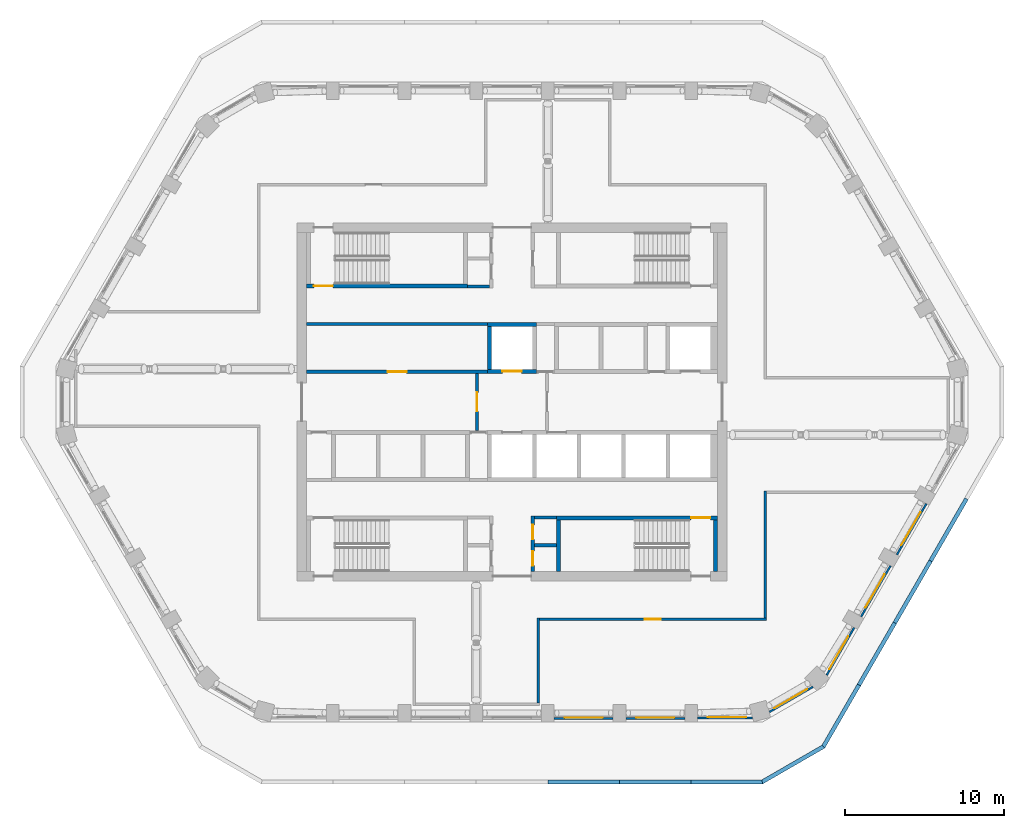
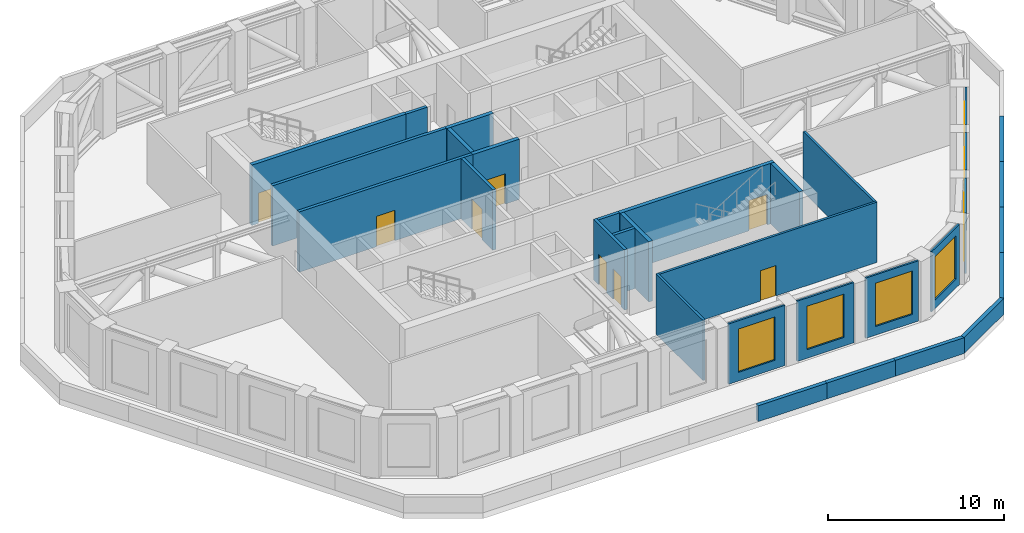
# One storey, part 7 of 15: 32 walls, 8 doors, 7 windows, 15 openings.
"""IFC4 building model written with IfcOpenShell, lengths in metres."""

import ifcopenshell
import ifcopenshell.guid

model = None  # the IFC model being written
_history = None  # IfcOwnerHistory: only IFC2X3 demands one
_inside = {}  # id of a spatial element -> (the spatial element, [elements in it])
_under = {}  # id of a project, library or spatial element -> (it, [spatial elements below it])
_declared = {}  # id of a project -> (the project, [libraries it declares])
_typed = {}  # id of a type object -> (the type object, [elements of that type])
_made_of = {}  # id of a material, layer set ... -> (it, [elements and type objects made of it])


def new_model(schema):
    """Start an empty IFC model of exactly this schema.

    Asked for "IFC4X3", IfcOpenShell would pick the latest addendum, in which some entities
    have other attributes; the version numbers below select the first issue.
    IFC2X3 requires an IfcOwnerHistory on every rooted entity: one is made here for all.
    """
    global model, _history
    if schema == "IFC4X3":
        model = ifcopenshell.file(schema_version=(4, 3, 0, 0))
    else:
        model = ifcopenshell.file(schema=schema)
    _inside.clear()
    _under.clear()
    _declared.clear()
    _typed.clear()
    _made_of.clear()
    _history = None
    if model.schema == "IFC2X3":
        org = make("IfcOrganization", Name="unknown")
        user = make(
            "IfcPersonAndOrganization",
            ThePerson=make("IfcPerson", FamilyName="unknown"),
            TheOrganization=org,
        )
        app = make(
            "IfcApplication",
            ApplicationDeveloper=org,
            Version="unknown",
            ApplicationFullName="unknown",
            ApplicationIdentifier="unknown",
        )
        _history = make(
            "IfcOwnerHistory",
            OwningUser=user,
            OwningApplication=app,
            ChangeAction="ADDED",
            CreationDate=0,
        )
    return model


def make(cls, **values):
    """One entity of the class cls with the attributes given. An attribute that is None is left unset."""
    return model.create_entity(
        cls, **{name: value for name, value in values.items() if value is not None}
    )


def rooted(cls, **values):
    """An entity with a GlobalId (a new one), such as an element, a storey or a relation."""
    return make(cls, GlobalId=ifcopenshell.guid.new(), OwnerHistory=_history, **values)


def si_unit(unit_type, name, prefix=None):
    """IfcSIUnit, for example si_unit("LENGTHUNIT", "METRE", prefix="MILLI")."""
    return make("IfcSIUnit", UnitType=unit_type, Prefix=prefix, Name=name)


def assignment(units):
    """IfcUnitAssignment: the units of a project."""
    return None if units is None else make("IfcUnitAssignment", Units=units)


def point(xyz):
    """IfcCartesianPoint."""
    return None if xyz is None else make("IfcCartesianPoint", Coordinates=xyz)


def direction(xyz):
    """IfcDirection."""
    return None if xyz is None else make("IfcDirection", DirectionRatios=xyz)


def frame(location, z_axis=None, x_axis=None):
    """IfcAxis2Placement3D, a coordinate frame: its origin and axes. An axis left out is left unset."""
    return make(
        "IfcAxis2Placement3D",
        Location=point(location),
        Axis=direction(z_axis),
        RefDirection=direction(x_axis),
    )


def frame_2d(location, x_axis=None):
    """IfcAxis2Placement2D, a coordinate frame in the plane: its origin and x axis."""
    return make(
        "IfcAxis2Placement2D", Location=point(location), RefDirection=direction(x_axis)
    )


def origin():
    """The frame at (0, 0, 0) with its axes left unset."""
    return frame((0.0, 0.0, 0.0))


def place(relative_to, where):
    """IfcLocalPlacement: puts the frame where relative to a parent placement (None: the world)."""
    return make(
        "IfcLocalPlacement", PlacementRelTo=relative_to, RelativePlacement=where
    )


def context(
    kind, dimensions, precision=None, world=None, true_north=None, identifier=None
):
    """IfcGeometricRepresentationContext, for example the 3D "Model" context."""
    return make(
        "IfcGeometricRepresentationContext",
        ContextIdentifier=identifier,
        ContextType=kind,
        CoordinateSpaceDimension=dimensions,
        Precision=precision,
        WorldCoordinateSystem=world,
        TrueNorth=true_north,
    )


def subcontext(parent, identifier, kind, view, scale=None):
    """IfcGeometricRepresentationSubContext, for example "Body" below "Model"."""
    return make(
        "IfcGeometricRepresentationSubContext",
        ContextIdentifier=identifier,
        ContextType=kind,
        ParentContext=parent,
        TargetScale=scale,
        TargetView=view,
    )


def project(units=None, contexts=None):
    """IfcProject with its units and contexts."""
    return rooted(
        "IfcProject",
        Name="project",
        RepresentationContexts=contexts,
        UnitsInContext=assignment(units),
    )


def spatial(cls, under=None, at=None, **own):
    """A site, building, storey or space (cls), placed at a placement, below another one or the project."""
    s = rooted(cls, ObjectPlacement=at, **own)
    if under is not None:
        _under.setdefault(under.id(), (under, []))[1].append(s)
    return s


def polyline(points):
    """IfcPolyline through the points."""
    return make("IfcPolyline", Points=[point(p) for p in points])


def profile(cls, at=None, kind="AREA", **sizes):
    """A parametric profile (cls). Its sizes go by their IFC names, for example OverallWidth=200.0."""
    return make(cls, ProfileType=kind, Position=at, **sizes)


def rectangle(**sizes):
    """IfcRectangleProfileDef."""
    return profile("IfcRectangleProfileDef", **sizes)


def outline(outer, holes=None, kind="AREA"):
    """IfcArbitraryClosedProfileDef: a profile drawn as a closed curve; with holes, ...WithVoids."""
    if holes is None:
        return make("IfcArbitraryClosedProfileDef", ProfileType=kind, OuterCurve=outer)
    return make(
        "IfcArbitraryProfileDefWithVoids",
        ProfileType=kind,
        OuterCurve=outer,
        InnerCurves=holes,
    )


def extrude(swept, where, along, depth):
    """IfcExtrudedAreaSolid: the profile swept, set in the frame where, extruded along a direction by depth."""
    return make(
        "IfcExtrudedAreaSolid",
        SweptArea=swept,
        Position=where,
        ExtrudedDirection=direction(along),
        Depth=depth,
    )


def shape(context_of_items, identifier, shape_type, items):
    """IfcShapeRepresentation: the items that make up one representation, for example the "Body"."""
    return make(
        "IfcShapeRepresentation",
        ContextOfItems=context_of_items,
        RepresentationIdentifier=identifier,
        RepresentationType=shape_type,
        Items=items,
    )


def material(Name=None, Category=None):
    """IfcMaterial."""
    return make("IfcMaterial", Name=Name, Category=Category)


def layer(
    of_material, thickness, ventilated=None, Name=None, Category=None, Priority=None
):
    """IfcMaterialLayer: one layer of a wall or slab, of a material (None: an air gap)."""
    return make(
        "IfcMaterialLayer",
        Material=of_material,
        LayerThickness=thickness,
        IsVentilated=ventilated,
        Name=Name,
        Category=Category,
        Priority=Priority,
    )


def layer_set(layers, Name=None):
    """IfcMaterialLayerSet."""
    return make("IfcMaterialLayerSet", MaterialLayers=layers, LayerSetName=Name)


def made_of(thing, what):
    """Note that an element or type object is made of a material, layer set ...; save() writes the relation."""
    if what is not None:
        _made_of.setdefault(what.id(), (what, []))[1].append(thing)
    return thing


def type_object(cls, material=None, **own):
    """A type object (cls), such as IfcWallType, which elements share."""
    return made_of(rooted(cls, **own), material)


def element(
    cls,
    number,
    at=None,
    inside=None,
    cuts=None,
    type_object=None,
    material=None,
    context=None,
    identifier="Body",
    shape_type=None,
    held_by="IfcProductDefinitionShape",
    body=None,
    shapes=None,
    **own,
):
    """One element of the class cls, such as IfcWall. Its Tag is "e" and its number.

    at: its placement. inside: the storey or other place that contains it. cuts: it is an
    opening in that element (IfcRelVoidsElement). A single representation is given by context,
    identifier, shape_type and body (its items); several are given by shapes. held_by: the class
    of the entity that holds the representations. save() writes the other relations.
    """
    e = rooted(cls, Tag="e%d" % number, ObjectPlacement=at, **own)
    if body is not None:
        shapes = [shape(context, identifier, shape_type, body)]
    if shapes is not None:
        e.Representation = make(held_by, Representations=shapes)
    if inside is not None:
        _inside.setdefault(inside.id(), (inside, []))[1].append(e)
    if cuts is not None:
        rooted(
            "IfcRelVoidsElement", RelatingBuildingElement=cuts, RelatedOpeningElement=e
        )
    if type_object is not None:
        _typed.setdefault(type_object.id(), (type_object, []))[1].append(e)
    return made_of(e, material)


def fill(opening, filler):
    """IfcRelFillsElement: the door or window that sits in an opening."""
    return rooted(
        "IfcRelFillsElement",
        RelatingOpeningElement=opening,
        RelatedBuildingElement=filler,
    )


def aggregate(whole, parts):
    """IfcRelAggregates: a whole, such as a stair, and the parts it consists of."""
    return rooted("IfcRelAggregates", RelatingObject=whole, RelatedObjects=parts)


def save(model, path):
    """Write the relations noted so far, then the file.

    IfcRelAggregates (storeys below a building ...), IfcRelContainedInSpatialStructure (elements
    in a storey), IfcRelDefinesByType, IfcRelAssociatesMaterial and IfcRelDeclares: one each for
    every whole, place, type object, material and project.
    """
    for whole, parts in _under.values():
        aggregate(whole, parts)
    for where, things in _inside.values():
        rooted(
            "IfcRelContainedInSpatialStructure",
            RelatedElements=things,
            RelatingStructure=where,
        )
    for kind, things in _typed.values():
        rooted("IfcRelDefinesByType", RelatedObjects=things, RelatingType=kind)
    for what, things in _made_of.values():
        rooted("IfcRelAssociatesMaterial", RelatedObjects=things, RelatingMaterial=what)
    for by, libraries in _declared.values():
        rooted("IfcRelDeclares", RelatingContext=by, RelatedDefinitions=libraries)
    model.write(path)


model = new_model("IFC4")

# Units and contexts
model_context = context("Model", 3, precision=1e-05, world=origin(), true_north=direction((0.0, 1.0)))
body_context = subcontext(model_context, "Body", "Model", "MODEL_VIEW")
ifc_project = project(units=[si_unit("LENGTHUNIT", "METRE"), si_unit("AREAUNIT", "SQUARE_METRE"), si_unit("VOLUMEUNIT", "CUBIC_METRE"), si_unit("PLANEANGLEUNIT", "RADIAN"), si_unit("MASSUNIT", "GRAM", prefix="KILO")], contexts=[model_context])

# Site, building, storey
site_placement = place(None, origin())
site = spatial("IfcSite", under=ifc_project, at=site_placement, CompositionType="ELEMENT")
building_placement = place(site_placement, origin())
building = spatial("IfcBuilding", under=site, at=building_placement, Name="Dhurran Vertical Campus", CompositionType="ELEMENT")
storey_placement = place(building_placement, frame((0.0, 0.0, 230.699951171875)))
storey = spatial("IfcBuildingStorey", under=building, at=storey_placement, Name="L57 Plant", CompositionType="ELEMENT", Elevation=230.699951171875)

# Wall, opening, window
ifc_material_1 = material(Name="Precast concrete C50/60", Category="concrete")
ifc_layer_1 = layer(ifc_material_1, 0.1201171875)
ifc_layer_set_1 = layer_set([ifc_layer_1], Name="Precast concrete C50/60")
wall_type_1 = type_object("IfcWallType", Name="Precast louvre-bay panel 120", PredefinedType="SOLIDWALL", material=ifc_layer_set_1)
wall_1_placement = place(storey_placement, frame((2.650390625, -19.8837890625, 0.0), z_axis=(0.0, 0.0, 1.0), x_axis=(1.0, 0.0, 0.0)))
wall_1 = element("IfcWall", 1, at=wall_1_placement, inside=storey, type_object=wall_type_1, Name="EW4 L57.04", PredefinedType="SOLIDWALL", context=body_context, shape_type="SweptSolid", body=[
    extrude(rectangle(XDim=3.69921875, YDim=0.1201171875, at=frame_2d((1.849609375, 0.0))), origin(), (0.0, 0.0, 1.0), 4.175048828125),
])
opening_1_placement = place(wall_1_placement, frame((0.6494140625, 0.0, 0.60009765625)))
opening_1 = element("IfcOpeningElement", 2, at=opening_1_placement, cuts=wall_1, Name="Opening WT4", PredefinedType="OPENING", context=body_context, shape_type="SweptSolid", body=[
    extrude(rectangle(XDim=2.39990234375, YDim=3.0, at=frame_2d((1.199951171875, 1.5))), frame((0.0, 0.070068359375, 0.0), z_axis=(0.0, -1.0, 0.0), x_axis=(1.0, 0.0, 0.0)), (0.0, 0.0, 1.0), 0.14013671875),
])
ifc_material_2 = material(Name="Aluminium louvre", Category="aluminium")
window_type = type_object("IfcWindowType", Name="Louvred plant vent 2400 x 3000", PartitioningType="SINGLE_PANEL", PredefinedType="WINDOW", material=ifc_material_2)
window_1_placement = place(opening_1_placement, origin())
window_1 = element("IfcWindow", 3, at=window_1_placement, inside=storey, type_object=window_type, Name="WT4 L57.04", OverallHeight=3.0, OverallWidth=2.39990234375, PartitioningType="SINGLE_PANEL", PredefinedType="WINDOW", context=body_context, shape_type="SweptSolid", body=[
    extrude(rectangle(XDim=2.39990234375, YDim=3.0, at=frame_2d((1.199951171875, 1.5))), frame((0.0, 0.06005859375, 0.0), z_axis=(0.0, -1.0, 0.0), x_axis=(1.0, 0.0, 0.0)), (0.0, 0.0, 1.0), 0.02001953125),
])
fill(opening_1, window_1)

wall_2_placement = place(storey_placement, frame((7.150390625, -19.8837890625, 0.0), z_axis=(0.0, 0.0, 1.0), x_axis=(1.0, 0.0, 0.0)))
wall_2 = element("IfcWall", 4, at=wall_2_placement, inside=storey, type_object=wall_type_1, Name="EW4 L57.05", PredefinedType="SOLIDWALL", context=body_context, shape_type="SweptSolid", body=[
    extrude(rectangle(XDim=3.69921875, YDim=0.1201171875, at=frame_2d((1.849609375, 0.0))), origin(), (0.0, 0.0, 1.0), 4.175048828125),
])
opening_2_placement = place(wall_2_placement, frame((0.6494140625, 0.0, 0.60009765625)))
opening_2 = element("IfcOpeningElement", 5, at=opening_2_placement, cuts=wall_2, Name="Opening WT4", PredefinedType="OPENING", context=body_context, shape_type="SweptSolid", body=[
    extrude(rectangle(XDim=2.39990234375, YDim=3.0, at=frame_2d((1.199951171875, 1.5))), frame((0.0, 0.070068359375, 0.0), z_axis=(0.0, -1.0, 0.0), x_axis=(1.0, 0.0, 0.0)), (0.0, 0.0, 1.0), 0.14013671875),
])
window_2_placement = place(opening_2_placement, origin())
window_2 = element("IfcWindow", 6, at=window_2_placement, inside=storey, type_object=window_type, Name="WT4 L57.05", OverallHeight=3.0, OverallWidth=2.39990234375, PartitioningType="SINGLE_PANEL", PredefinedType="WINDOW", context=body_context, shape_type="SweptSolid", body=[
    extrude(rectangle(XDim=2.39990234375, YDim=3.0, at=frame_2d((1.199951171875, 1.5))), frame((0.0, 0.06005859375, 0.0), z_axis=(0.0, -1.0, 0.0), x_axis=(1.0, 0.0, 0.0)), (0.0, 0.0, 1.0), 0.02001953125),
])
fill(opening_2, window_2)

wall_3_placement = place(storey_placement, frame((11.650390625, -19.850830078125, 0.0), z_axis=(0.0, 0.0, 1.0), x_axis=(1.0, 0.0, 0.0)))
wall_3 = element("IfcWall", 7, at=wall_3_placement, inside=storey, type_object=wall_type_1, Name="EW4 L57.06", PredefinedType="SOLIDWALL", context=body_context, shape_type="SweptSolid", body=[
    extrude(rectangle(XDim=3.4501953125, YDim=0.1201171875, at=frame_2d((1.72509765625, 0.0))), origin(), (0.0, 0.0, 1.0), 4.175048828125),
])
opening_3_placement = place(wall_3_placement, frame((0.6494140625, 0.0, 0.60009765625)))
opening_3 = element("IfcOpeningElement", 8, at=opening_3_placement, cuts=wall_3, Name="Opening WT4", PredefinedType="OPENING", context=body_context, shape_type="SweptSolid", body=[
    extrude(rectangle(XDim=2.39990234375, YDim=3.0, at=frame_2d((1.199951171875, 1.5))), frame((0.0, 0.070068359375, 0.0), z_axis=(0.0, -1.0, 0.0), x_axis=(1.0, 0.0, 0.0)), (0.0, 0.0, 1.0), 0.14013671875),
])
window_3_placement = place(opening_3_placement, origin())
window_3 = element("IfcWindow", 9, at=window_3_placement, inside=storey, type_object=window_type, Name="WT4 L57.06", OverallHeight=3.0, OverallWidth=2.39990234375, PartitioningType="SINGLE_PANEL", PredefinedType="WINDOW", context=body_context, shape_type="SweptSolid", body=[
    extrude(rectangle(XDim=2.39990234375, YDim=3.0, at=frame_2d((1.199951171875, 1.5))), frame((0.0, 0.06005859375, 0.0), z_axis=(0.0, -1.0, 0.0), x_axis=(1.0, 0.0, 0.0)), (0.0, 0.0, 1.0), 0.02001953125),
])
fill(opening_3, window_3)

wall_4_placement = place(storey_placement, frame((16.169189453125, -19.46728515625, 0.0), z_axis=(0.0, 0.0, 1.0), x_axis=(0.866008907395, 0.500028571497, 0.0)))
wall_4 = element("IfcWall", 10, at=wall_4_placement, inside=storey, type_object=wall_type_1, Name="EW4 L57.07", PredefinedType="SOLIDWALL", context=body_context, shape_type="SweptSolid", body=[
    extrude(rectangle(XDim=3.152587890625, YDim=0.1201171875, at=frame_2d((1.576171875, 0.0))), origin(), (0.0, 0.0, 1.0), 4.175048828125),
])
opening_4_placement = place(wall_4_placement, frame((0.376220703125, 0.0, 0.60009765625)))
opening_4 = element("IfcOpeningElement", 11, at=opening_4_placement, cuts=wall_4, Name="Opening WT4", PredefinedType="OPENING", context=body_context, shape_type="SweptSolid", body=[
    extrude(rectangle(XDim=2.39990234375, YDim=3.0, at=frame_2d((1.199951171875, 1.5))), frame((0.0, 0.070068359375, 0.0), z_axis=(0.0, -1.0, 0.0), x_axis=(1.0, 0.0, 0.0)), (0.0, 0.0, 1.0), 0.14013671875),
])
window_4_placement = place(opening_4_placement, origin())
window_4 = element("IfcWindow", 12, at=window_4_placement, inside=storey, type_object=window_type, Name="WT4 L57.07", OverallHeight=3.0, OverallWidth=2.39990234375, PartitioningType="SINGLE_PANEL", PredefinedType="WINDOW", context=body_context, shape_type="SweptSolid", body=[
    extrude(rectangle(XDim=2.39990234375, YDim=3.0, at=frame_2d((1.199951171875, 1.5))), frame((0.0, 0.06005859375, 0.0), z_axis=(0.0, -1.0, 0.0), x_axis=(1.0, 0.0, 0.0)), (0.0, 0.0, 1.0), 0.02001953125),
])
fill(opening_4, window_4)

wall_5_placement = place(storey_placement, frame((19.76611328125, -17.156982421875, 0.0), z_axis=(0.0, 0.0, 1.0), x_axis=(0.499967486139, 0.866044174857, 0.0)))
wall_5 = element("IfcWall", 13, at=wall_5_placement, inside=storey, type_object=wall_type_1, Name="EW4 L57.08", PredefinedType="SOLIDWALL", context=body_context, shape_type="SweptSolid", body=[
    extrude(rectangle(XDim=3.449951171875, YDim=0.1201171875, at=frame_2d((1.72509765625, 0.0))), origin(), (0.0, 0.0, 1.0), 4.175048828125),
])
opening_5_placement = place(wall_5_placement, frame((0.400390625, 0.0, 0.60009765625)))
opening_5 = element("IfcOpeningElement", 14, at=opening_5_placement, cuts=wall_5, Name="Opening WT4", PredefinedType="OPENING", context=body_context, shape_type="SweptSolid", body=[
    extrude(rectangle(XDim=2.39990234375, YDim=3.0, at=frame_2d((1.199951171875, 1.5))), frame((0.0, 0.070068359375, 0.0), z_axis=(0.0, -1.0, 0.0), x_axis=(1.0, 0.0, 0.0)), (0.0, 0.0, 1.0), 0.14013671875),
])
window_5_placement = place(opening_5_placement, origin())
window_5 = element("IfcWindow", 15, at=window_5_placement, inside=storey, type_object=window_type, Name="WT4 L57.08", OverallHeight=3.0, OverallWidth=2.39990234375, PartitioningType="SINGLE_PANEL", PredefinedType="WINDOW", context=body_context, shape_type="SweptSolid", body=[
    extrude(rectangle(XDim=2.39990234375, YDim=3.0, at=frame_2d((1.199951171875, 1.5))), frame((0.0, 0.06005859375, 0.0), z_axis=(0.0, -1.0, 0.0), x_axis=(1.0, 0.0, 0.0)), (0.0, 0.0, 1.0), 0.02001953125),
])
fill(opening_5, window_5)

wall_6_placement = place(storey_placement, frame((21.919921875, -13.4921875, 0.0), z_axis=(0.0, 0.0, 1.0), x_axis=(0.500029062817, 0.866008623709, 0.0)))
wall_6 = element("IfcWall", 16, at=wall_6_placement, inside=storey, type_object=wall_type_1, Name="EW4 L57.09", PredefinedType="SOLIDWALL", context=body_context, shape_type="SweptSolid", body=[
    extrude(rectangle(XDim=3.698974609375, YDim=0.1201171875, at=frame_2d((1.849609375, 0.0))), origin(), (0.0, 0.0, 1.0), 4.175048828125),
])
opening_6_placement = place(wall_6_placement, frame((0.6494140625, 0.0, 0.60009765625)))
opening_6 = element("IfcOpeningElement", 17, at=opening_6_placement, cuts=wall_6, Name="Opening WT4", PredefinedType="OPENING", context=body_context, shape_type="SweptSolid", body=[
    extrude(rectangle(XDim=2.39990234375, YDim=3.0, at=frame_2d((1.199951171875, 1.5))), frame((0.0, 0.070068359375, 0.0), z_axis=(0.0, -1.0, 0.0), x_axis=(1.0, 0.0, 0.0)), (0.0, 0.0, 1.0), 0.14013671875),
])
window_6_placement = place(opening_6_placement, origin())
window_6 = element("IfcWindow", 18, at=window_6_placement, inside=storey, type_object=window_type, Name="WT4 L57.09", OverallHeight=3.0, OverallWidth=2.39990234375, PartitioningType="SINGLE_PANEL", PredefinedType="WINDOW", context=body_context, shape_type="SweptSolid", body=[
    extrude(rectangle(XDim=2.39990234375, YDim=3.0, at=frame_2d((1.199951171875, 1.5))), frame((0.0, 0.06005859375, 0.0), z_axis=(0.0, -1.0, 0.0), x_axis=(1.0, 0.0, 0.0)), (0.0, 0.0, 1.0), 0.02001953125),
])
fill(opening_6, window_6)

wall_7_placement = place(storey_placement, frame((24.169921875, -9.594970703125, 0.0), z_axis=(0.0, 0.0, 1.0), x_axis=(0.500029062817, 0.866008623709, 0.0)))
wall_7 = element("IfcWall", 19, at=wall_7_placement, inside=storey, type_object=wall_type_1, Name="EW4 L57.10", PredefinedType="SOLIDWALL", context=body_context, shape_type="SweptSolid", body=[
    extrude(rectangle(XDim=3.698974609375, YDim=0.1201171875, at=frame_2d((1.849609375, 0.0))), origin(), (0.0, 0.0, 1.0), 4.175048828125),
])
opening_7_placement = place(wall_7_placement, frame((0.6494140625, 0.0, 0.60009765625)))
opening_7 = element("IfcOpeningElement", 20, at=opening_7_placement, cuts=wall_7, Name="Opening WT4", PredefinedType="OPENING", context=body_context, shape_type="SweptSolid", body=[
    extrude(rectangle(XDim=2.39990234375, YDim=3.0, at=frame_2d((1.199951171875, 1.5))), frame((0.0, 0.070068359375, 0.0), z_axis=(0.0, -1.0, 0.0), x_axis=(1.0, 0.0, 0.0)), (0.0, 0.0, 1.0), 0.14013671875),
])
window_7_placement = place(opening_7_placement, origin())
window_7 = element("IfcWindow", 21, at=window_7_placement, inside=storey, type_object=window_type, Name="WT4 L57.10", OverallHeight=3.0, OverallWidth=2.39990234375, PartitioningType="SINGLE_PANEL", PredefinedType="WINDOW", context=body_context, shape_type="SweptSolid", body=[
    extrude(rectangle(XDim=2.39990234375, YDim=3.0, at=frame_2d((1.199951171875, 1.5))), frame((0.0, 0.06005859375, 0.0), z_axis=(0.0, -1.0, 0.0), x_axis=(1.0, 0.0, 0.0)), (0.0, 0.0, 1.0), 0.02001953125),
])
fill(opening_7, window_7)

# Walls
ifc_material_3 = material(Name="Precast concrete C50/60", Category="concrete")
ifc_layer_2 = layer(ifc_material_3, 0.25)
ifc_layer_set_2 = layer_set([ifc_layer_2], Name="Precast concrete C50/60")
wall_type_2 = type_object("IfcWallType", Name="Precast parapet 250", PredefinedType="PARAPET", material=ifc_layer_set_2)
wall_8_placement = place(storey_placement, origin())
element("IfcWall", 22, at=wall_8_placement, inside=storey, type_object=wall_type_2, Name="PW1 L57.04", PredefinedType="PARAPET", context=body_context, shape_type="SweptSolid", body=[
    extrude(outline(polyline([(2.25, -23.985595703125), (6.75, -23.985595703125), (6.75, -23.735595703125), (2.25, -23.735595703125), (2.25, -23.985595703125)])), origin(), (0.0, 0.0, 1.0), 1.10009765625),
])
wall_9_placement = place(storey_placement, origin())
element("IfcWall", 23, at=wall_9_placement, inside=storey, type_object=wall_type_2, Name="PW1 L57.05", PredefinedType="PARAPET", context=body_context, shape_type="SweptSolid", body=[
    extrude(outline(polyline([(6.75, -23.985595703125), (11.25, -23.985595703125), (11.25, -23.735595703125), (6.75, -23.735595703125), (6.75, -23.985595703125)])), origin(), (0.0, 0.0, 1.0), 1.10009765625),
])
wall_10_placement = place(storey_placement, origin())
element("IfcWall", 24, at=wall_10_placement, inside=storey, type_object=wall_type_2, Name="PW1 L57.06", PredefinedType="PARAPET", context=body_context, shape_type="SweptSolid", body=[
    extrude(outline(polyline([(11.25, -23.985595703125), (15.75, -23.985595703125), (15.68310546875, -23.735595703125), (11.25, -23.735595703125), (11.25, -23.985595703125)])), origin(), (0.0, 0.0, 1.0), 1.10009765625),
])
wall_11_placement = place(storey_placement, origin())
element("IfcWall", 25, at=wall_11_placement, inside=storey, type_object=wall_type_2, Name="PW1 L57.07", PredefinedType="PARAPET", context=body_context, shape_type="SweptSolid", body=[
    extrude(outline(polyline([(15.75, -23.985595703125), (19.647216796875, -21.735595703125), (19.464111328125, -21.552490234375), (15.68310546875, -23.735595703125), (15.75, -23.985595703125)])), origin(), (0.0, 0.0, 1.0), 1.10009765625),
])
wall_12_placement = place(storey_placement, origin())
element("IfcWall", 26, at=wall_12_placement, inside=storey, type_object=wall_type_2, Name="PW1 L57.08", PredefinedType="PARAPET", context=body_context, shape_type="SweptSolid", body=[
    extrude(outline(polyline([(19.647216796875, -21.735595703125), (21.897216796875, -17.83837890625), (21.6806640625, -17.71337890625), (19.464111328125, -21.552490234375), (19.647216796875, -21.735595703125)])), origin(), (0.0, 0.0, 1.0), 1.10009765625),
])
wall_13_placement = place(storey_placement, origin())
element("IfcWall", 27, at=wall_13_placement, inside=storey, type_object=wall_type_2, Name="PW1 L57.09", PredefinedType="PARAPET", context=body_context, shape_type="SweptSolid", body=[
    extrude(outline(polyline([(21.897216796875, -17.83837890625), (24.147216796875, -13.94140625), (23.9306640625, -13.81640625), (21.6806640625, -17.71337890625), (21.897216796875, -17.83837890625)])), origin(), (0.0, 0.0, 1.0), 1.10009765625),
])
wall_14_placement = place(storey_placement, origin())
element("IfcWall", 28, at=wall_14_placement, inside=storey, type_object=wall_type_2, Name="PW1 L57.10", PredefinedType="PARAPET", context=body_context, shape_type="SweptSolid", body=[
    extrude(outline(polyline([(24.147216796875, -13.94140625), (26.397216796875, -10.044189453125), (26.1806640625, -9.919189453125), (23.9306640625, -13.81640625), (24.147216796875, -13.94140625)])), origin(), (0.0, 0.0, 1.0), 1.10009765625),
])
wall_15_placement = place(storey_placement, origin())
element("IfcWall", 29, at=wall_15_placement, inside=storey, type_object=wall_type_2, Name="PW1 L57.11", PredefinedType="PARAPET", context=body_context, shape_type="SweptSolid", body=[
    extrude(outline(polyline([(26.397216796875, -10.044189453125), (28.647216796875, -6.147216796875), (28.4306640625, -6.022216796875), (26.1806640625, -9.919189453125), (26.397216796875, -10.044189453125)])), origin(), (0.0, 0.0, 1.0), 1.10009765625),
])

# Wall, opening, door
ifc_material_4 = material(Name="Fire-rated masonry blockwork", Category="masonry")
ifc_layer_3 = layer(ifc_material_4, 0.199951171875)
ifc_layer_set_3 = layer_set([ifc_layer_3], Name="Fire-rated masonry blockwork")
wall_type_3 = type_object("IfcWallType", Name="co-FIRE-PARTITION-200", PredefinedType="PARTITIONING", material=ifc_layer_set_3)
wall_16_placement = place(storey_placement, frame((-2.199951171875, -1.800048828125, 0.0), z_axis=(0.0, 0.0, 1.0), x_axis=(0.0, 1.0, 0.0)))
wall_16 = element("IfcWall", 30, at=wall_16_placement, inside=storey, type_object=wall_type_3, Name="Firefighting lobby wall W L57", PredefinedType="PARTITIONING", context=body_context, shape_type="SweptSolid", body=[
    extrude(rectangle(XDim=3.60009765625, YDim=0.199951171875, at=frame_2d((1.800048828125, 0.0))), origin(), (0.0, 0.0, 1.0), 4.175048828125),
])
opening_8_placement = place(wall_16_placement, frame((1.199951171875, 0.0, 0.0)))
opening_8 = element("IfcOpeningElement", 31, at=opening_8_placement, cuts=wall_16, Name="Opening FL1", PredefinedType="OPENING", context=body_context, shape_type="SweptSolid", body=[
    extrude(rectangle(XDim=1.199951171875, YDim=2.10009765625, at=frame_2d((0.60009765625, 1.050048828125))), frame((0.0, 0.10986328125, 0.0), z_axis=(0.0, -1.0, 0.0), x_axis=(1.0, 0.0, 0.0)), (0.0, 0.0, 1.0), 0.219970703125),
])
ifc_material_5 = material(Name="Fire-rated steel door set", Category="steel")
door_type_1 = type_object("IfcDoorType", Name="co-D-FFLOBBY 1200x2100", OperationType="SINGLE_SWING_LEFT", PredefinedType="DOOR", material=ifc_material_5)
door_1_placement = place(opening_8_placement, origin())
door_1 = element("IfcDoor", 32, at=door_1_placement, inside=storey, type_object=door_type_1, Name="Firefighting lobby door W L57", OperationType="SINGLE_SWING_LEFT", OverallHeight=2.10009765625, OverallWidth=1.199951171875, PredefinedType="DOOR", context=body_context, shape_type="SweptSolid", body=[
    extrude(rectangle(XDim=1.199951171875, YDim=2.10009765625, at=frame_2d((0.60009765625, 1.050048828125))), frame((0.0, 0.02490234375, 0.0), z_axis=(0.0, -1.0, 0.0), x_axis=(1.0, 0.0, 0.0)), (0.0, 0.0, 1.0), 0.050048828125),
])
fill(opening_8, door_1)

# Walls
for number, where, z_axis, x_axis, name in (
    (33, (-2.800048828125, 7.25, 0.0), (0.0, 0.0, 1.0), (1.0, 0.0, 0.0), "Core partition sl-NW-S L57"),
    (34, (1.39990234375, -7.25, 0.0), (0.0, 0.0, 1.0), (1.0, 0.0, 0.0), "Core partition sl-SE-S L57"),
    (35, (1.39990234375, -9.0, 0.0), (0.0, 0.0, 1.0), (1.0, 0.0, 0.0), "Core partition sl-SE-cut0 L57"),
):
    element("IfcWall", number, at=place(storey_placement, frame(where, z_axis=z_axis, x_axis=x_axis)), inside=storey, type_object=wall_type_3, Name=name, PredefinedType="PARTITIONING", context=body_context, shape_type="SweptSolid", body=[
        extrude(rectangle(XDim=1.400146484375, YDim=0.199951171875, at=frame_2d((0.7001953125, 0.0))), origin(), (0.0, 0.0, 1.0), 4.175048828125),
    ])

# Wall, openings, doors
wall_17_placement = place(storey_placement, frame((1.300048828125, -10.64990234375, 0.0), z_axis=(0.0, 0.0, 1.0), x_axis=(0.0, 1.0, 0.0)))
wall_17 = element("IfcWall", 36, at=wall_17_placement, inside=storey, type_object=wall_type_3, Name="Core partition vest-SE L57", PredefinedType="PARTITIONING", context=body_context, shape_type="SweptSolid", body=[
    extrude(rectangle(XDim=3.5, YDim=0.199951171875, at=frame_2d((1.75, 0.0))), origin(), (0.0, 0.0, 1.0), 4.175048828125),
])
opening_9_placement = place(wall_17_placement, frame((0.375, 0.0, 0.0)))
opening_9 = element("IfcOpeningElement", 37, at=opening_9_placement, cuts=wall_17, Name="Opening BR57-C3", PredefinedType="OPENING", context=body_context, shape_type="SweptSolid", body=[
    extrude(rectangle(XDim=0.89990234375, YDim=2.10009765625, at=frame_2d((0.449951171875, 1.050048828125))), frame((0.0, 0.10986328125, 0.0), z_axis=(0.0, -1.0, 0.0), x_axis=(1.0, 0.0, 0.0)), (0.0, 0.0, 1.0), 0.219970703125),
])
opening_10_placement = place(wall_17_placement, frame((2.02490234375, 0.0, 0.0)))
opening_10 = element("IfcOpeningElement", 38, at=opening_10_placement, cuts=wall_17, Name="Opening BR57-C4", PredefinedType="OPENING", context=body_context, shape_type="SweptSolid", body=[
    extrude(rectangle(XDim=0.89990234375, YDim=2.10009765625, at=frame_2d((0.449951171875, 1.050048828125))), frame((0.0, 0.10986328125, 0.0), z_axis=(0.0, -1.0, 0.0), x_axis=(1.0, 0.0, 0.0)), (0.0, 0.0, 1.0), 0.219970703125),
])
ifc_material_6 = material(Name="Fire-rated timber door set", Category="wood")
door_type_2 = type_object("IfcDoorType", Name="co-D-ROOM 900x2100", OperationType="SINGLE_SWING_LEFT", PredefinedType="DOOR", material=ifc_material_6)
door_2_placement = place(opening_9_placement, origin())
door_2 = element("IfcDoor", 39, at=door_2_placement, inside=storey, type_object=door_type_2, Name="Sprinkler valve room door L57", OperationType="SINGLE_SWING_LEFT", OverallHeight=2.10009765625, OverallWidth=0.89990234375, PredefinedType="DOOR", context=body_context, shape_type="SweptSolid", body=[
    extrude(rectangle(XDim=0.89990234375, YDim=2.10009765625, at=frame_2d((0.449951171875, 1.050048828125))), frame((0.0, 0.02490234375, 0.0), z_axis=(0.0, -1.0, 0.0), x_axis=(1.0, 0.0, 0.0)), (0.0, 0.0, 1.0), 0.050048828125),
])
fill(opening_9, door_2)
door_3_placement = place(opening_10_placement, origin())
door_3 = element("IfcDoor", 40, at=door_3_placement, inside=storey, type_object=door_type_2, Name="Generator room door L57", OperationType="SINGLE_SWING_LEFT", OverallHeight=2.10009765625, OverallWidth=0.89990234375, PredefinedType="DOOR", context=body_context, shape_type="SweptSolid", body=[
    extrude(rectangle(XDim=0.89990234375, YDim=2.10009765625, at=frame_2d((0.449951171875, 1.050048828125))), frame((0.0, 0.02490234375, 0.0), z_axis=(0.0, -1.0, 0.0), x_axis=(1.0, 0.0, 0.0)), (0.0, 0.0, 1.0), 0.050048828125),
])
fill(opening_10, door_3)

# Wall, opening, door
wall_18_placement = place(storey_placement, frame((-12.89990234375, 1.89990234375, 0.0), z_axis=(0.0, 0.0, 1.0), x_axis=(1.0, 0.0, 0.0)))
wall_18 = element("IfcWall", 41, at=wall_18_placement, inside=storey, type_object=wall_type_3, Name="Core partition fr-N0-f L57", PredefinedType="PARTITIONING", context=body_context, shape_type="SweptSolid", body=[
    extrude(rectangle(XDim=11.375, YDim=0.199951171875, at=frame_2d((5.6875, 0.0))), origin(), (0.0, 0.0, 1.0), 4.175048828125),
])
opening_11_placement = place(wall_18_placement, frame((5.08740234375, 0.0, 0.0)))
opening_11 = element("IfcOpeningElement", 42, at=opening_11_placement, cuts=wall_18, Name="Opening BR57-C8", PredefinedType="OPENING", context=body_context, shape_type="SweptSolid", body=[
    extrude(rectangle(XDim=1.199951171875, YDim=2.10009765625, at=frame_2d((0.60009765625, 1.050048828125))), frame((0.0, 0.10986328125, 0.0), z_axis=(0.0, -1.0, 0.0), x_axis=(1.0, 0.0, 0.0)), (0.0, 0.0, 1.0), 0.219970703125),
])
ifc_material_7 = material(Name="Fire-rated steel door set", Category="steel")
door_type_3 = type_object("IfcDoorType", Name="co-D-ROOM-PASSAGE 1200x2100", OperationType="SINGLE_SWING_RIGHT", PredefinedType="DOOR", material=ifc_material_7)
door_4_placement = place(opening_11_placement, origin())
door_4 = element("IfcDoor", 43, at=door_4_placement, inside=storey, type_object=door_type_3, Name="Refuge area door L57", OperationType="SINGLE_SWING_RIGHT", OverallHeight=2.10009765625, OverallWidth=1.199951171875, PredefinedType="DOOR", context=body_context, shape_type="SweptSolid", body=[
    extrude(rectangle(XDim=1.199951171875, YDim=2.10009765625, at=frame_2d((0.60009765625, 1.050048828125))), frame((0.0, 0.02490234375, 0.0), z_axis=(0.0, -1.0, 0.0), x_axis=(1.0, 0.0, 0.0)), (0.0, 0.0, 1.0), 0.050048828125),
])
fill(opening_11, door_4)

# Wall
wall_19_placement = place(storey_placement, frame((-12.89990234375, 4.89990234375, 0.0), z_axis=(0.0, 0.0, 1.0), x_axis=(1.0, 0.0, 0.0)))
element("IfcWall", 44, at=wall_19_placement, inside=storey, type_object=wall_type_3, Name="Core partition fr-N0-b L57", PredefinedType="PARTITIONING", context=body_context, shape_type="SweptSolid", body=[
    extrude(rectangle(XDim=11.375, YDim=0.199951171875, at=frame_2d((5.6875, 0.0))), origin(), (0.0, 0.0, 1.0), 4.175048828125),
])

# Wall, opening, door
ifc_material_8 = material(Name="Concrete C50/60", Category="concrete")
ifc_layer_4 = layer(ifc_material_8, 0.25)
ifc_layer_set_4 = layer_set([ifc_layer_4], Name="Concrete C50/60")
wall_type_4 = type_object("IfcWallType", Name="co-SHAFT-FRONT-250", PredefinedType="SHEAR", material=ifc_layer_set_4)
wall_20_placement = place(storey_placement, frame((-1.52490234375, 1.925048828125, 0.0), z_axis=(0.0, 0.0, 1.0), x_axis=(1.0, 0.0, 0.0)))
wall_20 = element("IfcWall", 45, at=wall_20_placement, inside=storey, type_object=wall_type_4, Name="Lift landing wall N L57", PredefinedType="SHEAR", context=body_context, shape_type="SweptSolid", body=[
    extrude(rectangle(XDim=3.0498046875, YDim=0.25, at=frame_2d((1.52490234375, 0.0))), origin(), (0.0, 0.0, 1.0), 4.175048828125),
])
opening_12_placement = place(wall_20_placement, frame((0.925048828125, 0.0, 0.0)))
opening_12 = element("IfcOpeningElement", 46, at=opening_12_placement, cuts=wall_20, Name="Opening LD", PredefinedType="OPENING", context=body_context, shape_type="SweptSolid", body=[
    extrude(rectangle(XDim=1.199951171875, YDim=2.10009765625, at=frame_2d((0.60009765625, 1.050048828125))), frame((0.0, 0.135009765625, 0.0), z_axis=(0.0, -1.0, 0.0), x_axis=(1.0, 0.0, 0.0)), (0.0, 0.0, 1.0), 0.27001953125),
])
ifc_material_9 = material(Name="Stainless steel landing door", Category="steel")
door_type_4 = type_object("IfcDoorType", Name="co-D-LANDING 1200x2100", OperationType="DOUBLE_DOOR_SLIDING", PredefinedType="DOOR", material=ifc_material_9)
door_5_placement = place(opening_12_placement, origin())
door_5 = element("IfcDoor", 47, at=door_5_placement, inside=storey, type_object=door_type_4, Name="Landing door FF1 L57", OperationType="DOUBLE_DOOR_SLIDING", OverallHeight=2.10009765625, OverallWidth=1.199951171875, PredefinedType="DOOR", context=body_context, shape_type="SweptSolid", body=[
    extrude(rectangle(XDim=1.199951171875, YDim=2.10009765625, at=frame_2d((0.60009765625, 1.050048828125))), frame((0.0, 0.02490234375, 0.0), z_axis=(0.0, -1.0, 0.0), x_axis=(1.0, 0.0, 0.0)), (0.0, 0.0, 1.0), 0.050048828125),
])
fill(opening_12, door_5)

# Walls
ifc_material_10 = material(Name="Concrete C50/60", Category="concrete")
ifc_layer_5 = layer(ifc_material_10, 0.25)
ifc_layer_set_5 = layer_set([ifc_layer_5], Name="Concrete C50/60")
wall_type_5 = type_object("IfcWallType", Name="co-SHAFT-MASS-250", PredefinedType="SHEAR", material=ifc_layer_set_5)
wall_21_placement = place(storey_placement, origin())
element("IfcWall", 48, at=wall_21_placement, inside=storey, type_object=wall_type_5, Name="Lift shaft wall N L57 1", PredefinedType="SHEAR", context=body_context, shape_type="SweptSolid", body=[
    extrude(outline(polyline([(-1.52490234375, 4.75), (1.52490234375, 4.75), (1.52490234375, 5.0), (-1.52490234375, 5.0), (-1.52490234375, 4.75)])), origin(), (0.0, 0.0, 1.0), 4.175048828125),
])
wall_22_placement = place(storey_placement, origin())
element("IfcWall", 49, at=wall_22_placement, inside=storey, type_object=wall_type_5, Name="Lift shaft wall N L57 4", PredefinedType="SHEAR", context=body_context, shape_type="SweptSolid", body=[
    extrude(outline(polyline([(-1.52490234375, 2.050048828125), (-1.27490234375, 2.050048828125), (-1.27490234375, 4.75), (-1.52490234375, 4.75), (-1.52490234375, 2.050048828125)])), origin(), (0.0, 0.0, 1.0), 4.175048828125),
])

# Wall, opening, door
ifc_material_11 = material(Name="Concrete C40/50", Category="concrete")
ifc_layer_6 = layer(ifc_material_11, 0.25)
ifc_layer_set_6 = layer_set([ifc_layer_6], Name="Concrete C40/50")
wall_type_6 = type_object("IfcWallType", Name="co-STAIR-WALL-250", PredefinedType="SHEAR", material=ifc_layer_set_6)
wall_23_placement = place(storey_placement, frame((-12.89990234375, 7.27490234375, 0.0), z_axis=(0.0, 0.0, 1.0), x_axis=(1.0, 0.0, 0.0)))
wall_23 = element("IfcWall", 50, at=wall_23_placement, inside=storey, type_object=wall_type_6, Name="Stair ST1 enclosure wall L57", PredefinedType="SHEAR", context=body_context, shape_type="SweptSolid", body=[
    extrude(rectangle(XDim=10.099853515625, YDim=0.25, at=frame_2d((5.0498046875, 0.0))), origin(), (0.0, 0.0, 1.0), 4.175048828125),
])
opening_13_placement = place(wall_23_placement, frame((0.449951171875, 0.0, 0.0)))
opening_13 = element("IfcOpeningElement", 51, at=opening_13_placement, cuts=wall_23, Name="Opening SD1", PredefinedType="OPENING", context=body_context, shape_type="SweptSolid", body=[
    extrude(rectangle(XDim=1.199951171875, YDim=2.10009765625, at=frame_2d((0.60009765625, 1.050048828125))), frame((0.0, 0.135009765625, 0.0), z_axis=(0.0, -1.0, 0.0), x_axis=(1.0, 0.0, 0.0)), (0.0, 0.0, 1.0), 0.27001953125),
])
ifc_material_12 = material(Name="Fire-rated steel door set", Category="steel")
door_type_5 = type_object("IfcDoorType", Name="co-D-STAIR 1200x2100", OperationType="SINGLE_SWING_LEFT", PredefinedType="DOOR", material=ifc_material_12)
door_6_placement = place(opening_13_placement, origin())
door_6 = element("IfcDoor", 52, at=door_6_placement, inside=storey, type_object=door_type_5, Name="Stair ST1 door L57", OperationType="SINGLE_SWING_LEFT", OverallHeight=2.10009765625, OverallWidth=1.199951171875, PredefinedType="DOOR", context=body_context, shape_type="SweptSolid", body=[
    extrude(rectangle(XDim=1.199951171875, YDim=2.10009765625, at=frame_2d((0.60009765625, 1.050048828125))), frame((0.0, 0.02490234375, 0.0), z_axis=(0.0, -1.0, 0.0), x_axis=(1.0, 0.0, 0.0)), (0.0, 0.0, 1.0), 0.050048828125),
])
fill(opening_13, door_6)

wall_24_placement = place(storey_placement, frame((2.800048828125, -7.27490234375, 0.0), z_axis=(0.0, 0.0, 1.0), x_axis=(1.0, 0.0, 0.0)))
wall_24 = element("IfcWall", 53, at=wall_24_placement, inside=storey, type_object=wall_type_6, Name="Stair ST4 enclosure wall L57", PredefinedType="SHEAR", context=body_context, shape_type="SweptSolid", body=[
    extrude(rectangle(XDim=10.099853515625, YDim=0.25, at=frame_2d((5.0498046875, 0.0))), origin(), (0.0, 0.0, 1.0), 4.175048828125),
])
opening_14_placement = place(wall_24_placement, frame((8.449951171875, 0.0, 0.0)))
opening_14 = element("IfcOpeningElement", 54, at=opening_14_placement, cuts=wall_24, Name="Opening SD4", PredefinedType="OPENING", context=body_context, shape_type="SweptSolid", body=[
    extrude(rectangle(XDim=1.199951171875, YDim=2.10009765625, at=frame_2d((0.60009765625, 1.050048828125))), frame((0.0, 0.135009765625, 0.0), z_axis=(0.0, -1.0, 0.0), x_axis=(1.0, 0.0, 0.0)), (0.0, 0.0, 1.0), 0.27001953125),
])
door_7_placement = place(opening_14_placement, origin())
door_7 = element("IfcDoor", 55, at=door_7_placement, inside=storey, type_object=door_type_5, Name="Stair ST4 door L57", OperationType="SINGLE_SWING_LEFT", OverallHeight=2.10009765625, OverallWidth=1.199951171875, PredefinedType="DOOR", context=body_context, shape_type="SweptSolid", body=[
    extrude(rectangle(XDim=1.199951171875, YDim=2.10009765625, at=frame_2d((0.60009765625, 1.050048828125))), frame((0.0, 0.02490234375, 0.0), z_axis=(0.0, -1.0, 0.0), x_axis=(1.0, 0.0, 0.0)), (0.0, 0.0, 1.0), 0.050048828125),
])
fill(opening_14, door_7)

# Walls
for number, where, z_axis, x_axis, name in (
    (56, (2.925048828125, -10.64990234375, 0.0), (0.0, 0.0, 1.0), (0.0, 1.0, 0.0), "Stair ST4 enclosure wall L57"),
    (57, (12.77490234375, -10.64990234375, 0.0), (0.0, 0.0, 1.0), (0.0, 1.0, 0.0), "Stair ST4 enclosure wall L57"),
):
    element("IfcWall", number, at=place(storey_placement, frame(where, z_axis=z_axis, x_axis=x_axis)), inside=storey, type_object=wall_type_6, Name=name, PredefinedType="SHEAR", context=body_context, shape_type="SweptSolid", body=[
        extrude(rectangle(XDim=3.25, YDim=0.25, at=frame_2d((1.625, 0.0))), origin(), (0.0, 0.0, 1.0), 4.175048828125),
    ])
ifc_material_13 = material(Name="Gypsum board corridor wall on steel studs", Category="steel")
ifc_layer_7 = layer(ifc_material_13, 0.14990234375)
ifc_layer_set_7 = layer_set([ifc_layer_7], Name="Gypsum board corridor wall on steel studs")
wall_type_7 = type_object("IfcWallType", Name="fl-CW-150 corridor wall", PredefinedType="PARTITIONING", material=ifc_layer_set_7)
wall_25_placement = place(storey_placement, frame((1.64990234375, -13.574951171875, 0.0), z_axis=(0.0, 0.0, 1.0), x_axis=(0.0, -1.0, 0.0)))
element("IfcWall", 58, at=wall_25_placement, inside=storey, type_object=wall_type_7, Name="Partition 57-15", PredefinedType="PARTITIONING", context=body_context, shape_type="SweptSolid", body=[
    extrude(rectangle(XDim=5.338134765625, YDim=0.14990234375, at=frame_2d((2.6689453125, 0.0))), origin(), (0.0, 0.0, 1.0), 4.175048828125),
])

# Wall, opening, door
wall_26_placement = place(storey_placement, frame((1.72509765625, -13.64990234375, 0.0), z_axis=(0.0, 0.0, 1.0), x_axis=(1.0, 0.0, 0.0)))
wall_26 = element("IfcWall", 59, at=wall_26_placement, inside=storey, type_object=wall_type_7, Name="Partition 57-16", PredefinedType="PARTITIONING", context=body_context, shape_type="SweptSolid", body=[
    extrude(rectangle(XDim=14.25, YDim=0.14990234375, at=frame_2d((7.125, 0.0))), origin(), (0.0, 0.0, 1.0), 4.175048828125),
])
opening_15_placement = place(wall_26_placement, frame((6.625, 0.0, 0.0)))
opening_15 = element("IfcOpeningElement", 60, at=opening_15_placement, cuts=wall_26, Name="Opening BR57.01", PredefinedType="OPENING", context=body_context, shape_type="SweptSolid", body=[
    extrude(rectangle(XDim=1.0, YDim=2.10009765625, at=frame_2d((0.5, 1.050048828125))), frame((0.0, 0.0849609375, 0.0), z_axis=(0.0, -1.0, 0.0), x_axis=(1.0, 0.0, 0.0)), (0.0, 0.0, 1.0), 0.169921875),
])
ifc_material_14 = material(Name="Solid-core timber door set, fire-rated", Category="wood")
door_type_6 = type_object("IfcDoorType", Name="fl-D-1000x2100", OperationType="SINGLE_SWING_LEFT", PredefinedType="DOOR", material=ifc_material_14)
door_8_placement = place(opening_15_placement, origin())
door_8 = element("IfcDoor", 61, at=door_8_placement, inside=storey, type_object=door_type_6, Name="Door 57.01", OperationType="SINGLE_SWING_RIGHT", OverallHeight=2.10009765625, OverallWidth=1.0, PredefinedType="DOOR", context=body_context, shape_type="SweptSolid", body=[
    extrude(rectangle(XDim=1.0, YDim=2.10009765625, at=frame_2d((0.5, 1.050048828125))), frame((0.0, 0.02490234375, 0.0), z_axis=(0.0, -1.0, 0.0), x_axis=(1.0, 0.0, 0.0)), (0.0, 0.0, 1.0), 0.050048828125),
])
fill(opening_15, door_8)

# Wall
wall_27_placement = place(storey_placement, frame((15.89990234375, -13.574951171875, 0.0), z_axis=(0.0, 0.0, 1.0), x_axis=(0.0, 1.0, 0.0)))
element("IfcWall", 62, at=wall_27_placement, inside=storey, type_object=wall_type_7, Name="Partition 57-19", PredefinedType="PARTITIONING", context=body_context, shape_type="SweptSolid", body=[
    extrude(rectangle(XDim=7.98095703125, YDim=0.14990234375, at=frame_2d((3.990478515625, 0.0))), origin(), (0.0, 0.0, 1.0), 4.175048828125),
])

save(model, "model.ifc")
